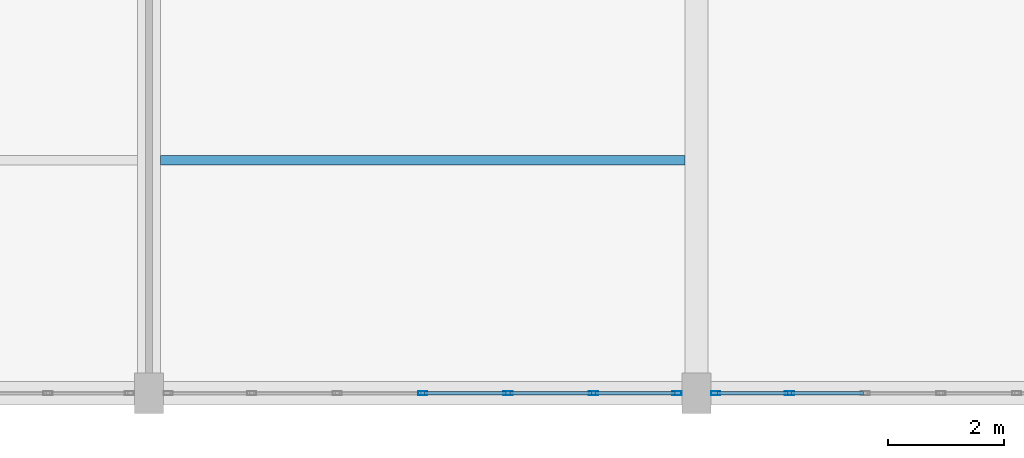
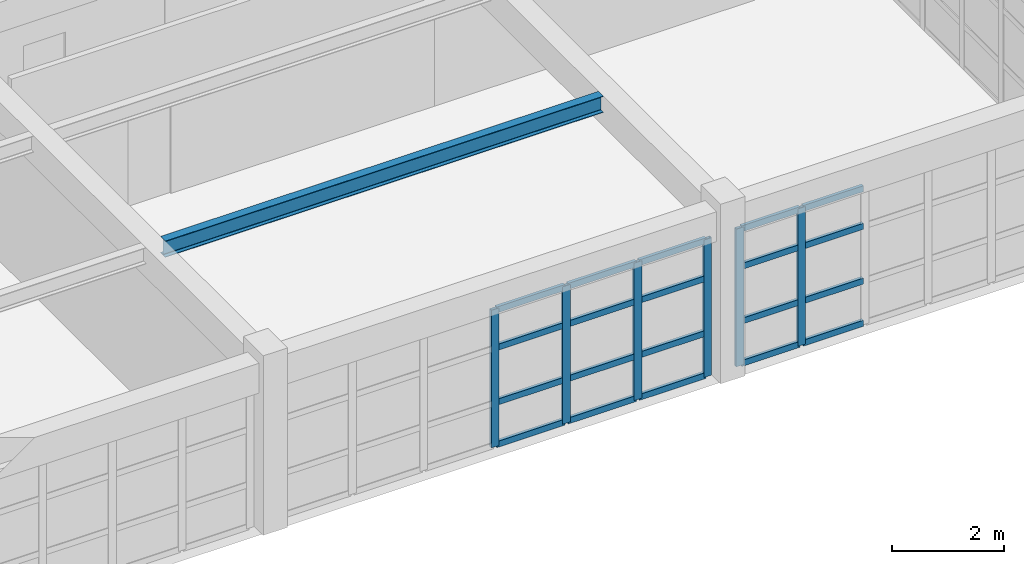
# One storey, part 31 of 150: 26 members, 1 beam, 2 elements without a shape of their own.
"""IFC4 building model written with IfcOpenShell, lengths in metres."""

from ifc_helpers import new_model, si_unit, direction, frame, origin, origin_2d, place, context, subcontext, project, spatial, hollow_rectangle, i_section, extrude, material, material_profile, profile_set, type_object, element, aggregate, save


model = new_model("IFC4")

# Units and contexts
model_context = context("Model", 3, precision=1e-05, world=origin(), true_north=direction((0.0, 1.0)))
body_context = subcontext(model_context, "Body", "Model", "MODEL_VIEW")
ifc_project = project(units=[si_unit("LENGTHUNIT", "METRE"), si_unit("AREAUNIT", "SQUARE_METRE"), si_unit("VOLUMEUNIT", "CUBIC_METRE"), si_unit("PLANEANGLEUNIT", "RADIAN"), si_unit("MASSUNIT", "GRAM", prefix="KILO")], contexts=[model_context])

# Site, building, storey
site_placement = place(None, origin())
site = spatial("IfcSite", under=ifc_project, at=site_placement, CompositionType="ELEMENT")
building_placement = place(site_placement, origin())
building = spatial("IfcBuilding", under=site, at=building_placement, Name="Kestramere Prow Commons", CompositionType="ELEMENT")
storey_placement = place(building_placement, frame((0.0, 0.0, 4.5)))
storey = spatial("IfcBuildingStorey", under=building, at=storey_placement, Name="L01", CompositionType="ELEMENT", Elevation=4.5)

# Curtain wall, members
ifc_material_1 = material(Name="Anodised Aluminium and Low-E Glass", Category="aluminium")
curtain_wall_type_1 = type_object("IfcCurtainWallType", Name="CW-26 Glazed Curtain Wall 8800x2990", PredefinedType="USERDEFINED", material=ifc_material_1)
curtain_wall_1_placement = place(storey_placement, origin())
curtain_wall_1 = element("IfcCurtainWall", 1, at=curtain_wall_1_placement, inside=storey, type_object=curtain_wall_type_1, Name="Market L01 South Shopfront 5", ObjectType="GLAZED CURTAIN WALL", PredefinedType="USERDEFINED")
ifc_material_2 = material(Name="Anodised Aluminium 6063-T6", Category="aluminium")
ifc_material_profile_1 = material_profile(ifc_material_2, hollow_rectangle(XDim=0.06494140625, YDim=0.159912109375, WallThickness=0.00390625, at=origin_2d()), Name="ALU-MUL 65x160")
ifc_profile_set_1 = profile_set([ifc_material_profile_1], Name="Anodised Aluminium 6063-T6")
member_type_1 = type_object("IfcMemberType", Name="CW-MUL-65x160", PredefinedType="MULLION", material=ifc_profile_set_1)
member_1_placement = place(storey_placement, frame((103.267578125, 0.0, 0.0), z_axis=(0.0, 0.0, 1.0), x_axis=(0.0, -1.0, 0.0)))
member_1 = element("IfcMember", 2, at=member_1_placement, type_object=member_type_1, Name="CW-26 mullion 1", PredefinedType="MULLION", context=body_context, shape_type="SweptSolid", body=[
    extrude(hollow_rectangle(XDim=0.06494140625, YDim=0.159912109375, WallThickness=0.00390625, at=origin_2d()), origin(), (0.0, 0.0, 1.0), 2.989990234375),
])
member_2_placement = place(storey_placement, frame((101.833251953125, 0.0, 0.0), z_axis=(0.0, 0.0, 1.0), x_axis=(0.0, -1.0, 0.0)))
member_2 = element("IfcMember", 3, at=member_2_placement, type_object=member_type_1, Name="CW-26 mullion 2", PredefinedType="MULLION", context=body_context, shape_type="SweptSolid", body=[
    extrude(hollow_rectangle(XDim=0.06494140625, YDim=0.159912109375, WallThickness=0.00390625, at=origin_2d()), origin(), (0.0, 0.0, 1.0), 2.989990234375),
])
member_3_placement = place(storey_placement, frame((100.36669921875, 0.0, 0.0), z_axis=(0.0, 0.0, 1.0), x_axis=(0.0, -1.0, 0.0)))
member_3 = element("IfcMember", 4, at=member_3_placement, type_object=member_type_1, Name="CW-26 mullion 3", PredefinedType="MULLION", context=body_context, shape_type="SweptSolid", body=[
    extrude(hollow_rectangle(XDim=0.06494140625, YDim=0.159912109375, WallThickness=0.00390625, at=origin_2d()), origin(), (0.0, 0.0, 1.0), 2.989990234375),
])
member_4_placement = place(storey_placement, frame((98.89990234375, 0.0, 0.0), z_axis=(0.0, 0.0, 1.0), x_axis=(0.0, -1.0, 0.0)))
member_4 = element("IfcMember", 5, at=member_4_placement, type_object=member_type_1, Name="CW-26 mullion 4", PredefinedType="MULLION", context=body_context, shape_type="SweptSolid", body=[
    extrude(hollow_rectangle(XDim=0.06494140625, YDim=0.159912109375, WallThickness=0.00390625, at=origin_2d()), origin(), (0.0, 0.0, 1.0), 2.989990234375),
])

curtain_wall_type_2 = type_object("IfcCurtainWallType", Name="CW-23 Glazed Curtain Wall 7800x2990", PredefinedType="USERDEFINED", material=ifc_material_1)
curtain_wall_2_placement = place(storey_placement, origin())
curtain_wall_2 = element("IfcCurtainWall", 6, at=curtain_wall_2_placement, inside=storey, type_object=curtain_wall_type_2, Name="Market L01 South Shopfront 6", ObjectType="GLAZED CURTAIN WALL", PredefinedType="USERDEFINED")
member_5_placement = place(storey_placement, frame((105.199951171875, 0.0, 0.0), z_axis=(0.0, 0.0, 1.0), x_axis=(0.0, -1.0, 0.0)))
member_5 = element("IfcMember", 7, at=member_5_placement, type_object=member_type_1, Name="CW-23 mullion 6", PredefinedType="MULLION", context=body_context, shape_type="SweptSolid", body=[
    extrude(hollow_rectangle(XDim=0.06494140625, YDim=0.159912109375, WallThickness=0.00390625, at=origin_2d()), origin(), (0.0, 0.0, 1.0), 2.989990234375),
])
member_6_placement = place(storey_placement, frame((103.9326171875, 0.0, 0.0), z_axis=(0.0, 0.0, 1.0), x_axis=(0.0, -1.0, 0.0)))
member_6 = element("IfcMember", 8, at=member_6_placement, type_object=member_type_1, Name="CW-23 mullion 7", PredefinedType="MULLION", context=body_context, shape_type="SweptSolid", body=[
    extrude(hollow_rectangle(XDim=0.06494140625, YDim=0.159912109375, WallThickness=0.00390625, at=origin_2d()), origin(), (0.0, 0.0, 1.0), 2.989990234375),
])

# Member
ifc_material_profile_2 = material_profile(ifc_material_2, hollow_rectangle(XDim=0.06494140625, YDim=0.1298828125, WallThickness=0.00390625, at=origin_2d()), Name="ALU-TRN 65x130")
ifc_profile_set_2 = profile_set([ifc_material_profile_2], Name="Anodised Aluminium 6063-T6")
member_type_2 = type_object("IfcMemberType", Name="CW-TRN-65x130", PredefinedType="USERDEFINED", material=ifc_profile_set_2)
member_7_placement = place(storey_placement, frame((103.235107421875, 0.0, 0.032470703125), z_axis=(-1.0, 0.0, 0.0), x_axis=(0.0, -1.0, 0.0)))
member_7 = element("IfcMember", 9, at=member_7_placement, type_object=member_type_2, Name="CW-26 transom 1.1", ObjectType="TRANSOM", PredefinedType="USERDEFINED", context=body_context, shape_type="SweptSolid", body=[
    extrude(hollow_rectangle(XDim=0.06494140625, YDim=0.1298828125, WallThickness=0.00390625, at=origin_2d()), origin(), (0.0, 0.0, 1.0), 1.369384765625),
])

member_8_placement = place(storey_placement, frame((103.235107421875, 0.0, 0.949951171875), z_axis=(-1.0, 0.0, 0.0), x_axis=(0.0, -1.0, 0.0)))
member_8 = element("IfcMember", 10, at=member_8_placement, type_object=member_type_2, Name="CW-26 transom 1.2", ObjectType="TRANSOM", PredefinedType="USERDEFINED", context=body_context, shape_type="SweptSolid", body=[
    extrude(hollow_rectangle(XDim=0.06494140625, YDim=0.1298828125, WallThickness=0.00390625, at=origin_2d()), origin(), (0.0, 0.0, 1.0), 1.369384765625),
])

member_9_placement = place(storey_placement, frame((103.235107421875, 0.0, 2.139892578125), z_axis=(-1.0, 0.0, 0.0), x_axis=(0.0, -1.0, 0.0)))
member_9 = element("IfcMember", 11, at=member_9_placement, type_object=member_type_2, Name="CW-26 transom 1.3", ObjectType="TRANSOM", PredefinedType="USERDEFINED", context=body_context, shape_type="SweptSolid", body=[
    extrude(hollow_rectangle(XDim=0.06494140625, YDim=0.1298828125, WallThickness=0.00390625, at=origin_2d()), origin(), (0.0, 0.0, 1.0), 1.369384765625),
])

member_10_placement = place(storey_placement, frame((103.235107421875, 0.0, 2.95751953125), z_axis=(-1.0, 0.0, 0.0), x_axis=(0.0, -1.0, 0.0)))
member_10 = element("IfcMember", 12, at=member_10_placement, type_object=member_type_2, Name="CW-26 transom 1.4", ObjectType="TRANSOM", PredefinedType="USERDEFINED", context=body_context, shape_type="SweptSolid", body=[
    extrude(hollow_rectangle(XDim=0.06494140625, YDim=0.1298828125, WallThickness=0.00390625, at=origin_2d()), origin(), (0.0, 0.0, 1.0), 1.369384765625),
])

member_11_placement = place(storey_placement, frame((101.80078125, 0.0, 0.032470703125), z_axis=(-1.0, 0.0, 0.0), x_axis=(0.0, -1.0, 0.0)))
member_11 = element("IfcMember", 13, at=member_11_placement, type_object=member_type_2, Name="CW-26 transom 2.1", ObjectType="TRANSOM", PredefinedType="USERDEFINED", context=body_context, shape_type="SweptSolid", body=[
    extrude(hollow_rectangle(XDim=0.06494140625, YDim=0.1298828125, WallThickness=0.00390625, at=origin_2d()), origin(), (0.0, 0.0, 1.0), 1.401611328125),
])

member_12_placement = place(storey_placement, frame((101.80078125, 0.0, 0.949951171875), z_axis=(-1.0, 0.0, 0.0), x_axis=(0.0, -1.0, 0.0)))
member_12 = element("IfcMember", 14, at=member_12_placement, type_object=member_type_2, Name="CW-26 transom 2.2", ObjectType="TRANSOM", PredefinedType="USERDEFINED", context=body_context, shape_type="SweptSolid", body=[
    extrude(hollow_rectangle(XDim=0.06494140625, YDim=0.1298828125, WallThickness=0.00390625, at=origin_2d()), origin(), (0.0, 0.0, 1.0), 1.401611328125),
])

member_13_placement = place(storey_placement, frame((101.80078125, 0.0, 2.139892578125), z_axis=(-1.0, 0.0, 0.0), x_axis=(0.0, -1.0, 0.0)))
member_13 = element("IfcMember", 15, at=member_13_placement, type_object=member_type_2, Name="CW-26 transom 2.3", ObjectType="TRANSOM", PredefinedType="USERDEFINED", context=body_context, shape_type="SweptSolid", body=[
    extrude(hollow_rectangle(XDim=0.06494140625, YDim=0.1298828125, WallThickness=0.00390625, at=origin_2d()), origin(), (0.0, 0.0, 1.0), 1.401611328125),
])

member_14_placement = place(storey_placement, frame((101.80078125, 0.0, 2.95751953125), z_axis=(-1.0, 0.0, 0.0), x_axis=(0.0, -1.0, 0.0)))
member_14 = element("IfcMember", 16, at=member_14_placement, type_object=member_type_2, Name="CW-26 transom 2.4", ObjectType="TRANSOM", PredefinedType="USERDEFINED", context=body_context, shape_type="SweptSolid", body=[
    extrude(hollow_rectangle(XDim=0.06494140625, YDim=0.1298828125, WallThickness=0.00390625, at=origin_2d()), origin(), (0.0, 0.0, 1.0), 1.401611328125),
])

member_15_placement = place(storey_placement, frame((100.334228515625, 0.0, 0.032470703125), z_axis=(-1.0, 0.0, 0.0), x_axis=(0.0, -1.0, 0.0)))
member_15 = element("IfcMember", 17, at=member_15_placement, type_object=member_type_2, Name="CW-26 transom 3.1", ObjectType="TRANSOM", PredefinedType="USERDEFINED", context=body_context, shape_type="SweptSolid", body=[
    extrude(hollow_rectangle(XDim=0.06494140625, YDim=0.1298828125, WallThickness=0.00390625, at=origin_2d()), origin(), (0.0, 0.0, 1.0), 1.401611328125),
])

member_16_placement = place(storey_placement, frame((100.334228515625, 0.0, 0.949951171875), z_axis=(-1.0, 0.0, 0.0), x_axis=(0.0, -1.0, 0.0)))
member_16 = element("IfcMember", 18, at=member_16_placement, type_object=member_type_2, Name="CW-26 transom 3.2", ObjectType="TRANSOM", PredefinedType="USERDEFINED", context=body_context, shape_type="SweptSolid", body=[
    extrude(hollow_rectangle(XDim=0.06494140625, YDim=0.1298828125, WallThickness=0.00390625, at=origin_2d()), origin(), (0.0, 0.0, 1.0), 1.401611328125),
])

member_17_placement = place(storey_placement, frame((100.334228515625, 0.0, 2.139892578125), z_axis=(-1.0, 0.0, 0.0), x_axis=(0.0, -1.0, 0.0)))
member_17 = element("IfcMember", 19, at=member_17_placement, type_object=member_type_2, Name="CW-26 transom 3.3", ObjectType="TRANSOM", PredefinedType="USERDEFINED", context=body_context, shape_type="SweptSolid", body=[
    extrude(hollow_rectangle(XDim=0.06494140625, YDim=0.1298828125, WallThickness=0.00390625, at=origin_2d()), origin(), (0.0, 0.0, 1.0), 1.401611328125),
])

member_18_placement = place(storey_placement, frame((100.334228515625, 0.0, 2.95751953125), z_axis=(-1.0, 0.0, 0.0), x_axis=(0.0, -1.0, 0.0)))
member_18 = element("IfcMember", 20, at=member_18_placement, type_object=member_type_2, Name="CW-26 transom 3.4", ObjectType="TRANSOM", PredefinedType="USERDEFINED", context=body_context, shape_type="SweptSolid", body=[
    extrude(hollow_rectangle(XDim=0.06494140625, YDim=0.1298828125, WallThickness=0.00390625, at=origin_2d()), origin(), (0.0, 0.0, 1.0), 1.401611328125),
])

aggregate(curtain_wall_1, [member_1, member_2, member_3, member_4, member_7, member_8, member_9, member_10, member_11, member_12, member_13, member_14, member_15, member_16, member_17, member_18])

member_19_placement = place(storey_placement, frame((106.467529296875, 0.0, 0.032470703125), z_axis=(-1.0, 0.0, 0.0), x_axis=(0.0, -1.0, 0.0)))
member_19 = element("IfcMember", 21, at=member_19_placement, type_object=member_type_2, Name="CW-23 transom 5.1", ObjectType="TRANSOM", PredefinedType="USERDEFINED", context=body_context, shape_type="SweptSolid", body=[
    extrude(hollow_rectangle(XDim=0.06494140625, YDim=0.1298828125, WallThickness=0.00390625, at=origin_2d()), origin(), (0.0, 0.0, 1.0), 1.235107421875),
])

member_20_placement = place(storey_placement, frame((106.467529296875, 0.0, 0.949951171875), z_axis=(-1.0, 0.0, 0.0), x_axis=(0.0, -1.0, 0.0)))
member_20 = element("IfcMember", 22, at=member_20_placement, type_object=member_type_2, Name="CW-23 transom 5.2", ObjectType="TRANSOM", PredefinedType="USERDEFINED", context=body_context, shape_type="SweptSolid", body=[
    extrude(hollow_rectangle(XDim=0.06494140625, YDim=0.1298828125, WallThickness=0.00390625, at=origin_2d()), origin(), (0.0, 0.0, 1.0), 1.235107421875),
])

member_21_placement = place(storey_placement, frame((106.467529296875, 0.0, 2.139892578125), z_axis=(-1.0, 0.0, 0.0), x_axis=(0.0, -1.0, 0.0)))
member_21 = element("IfcMember", 23, at=member_21_placement, type_object=member_type_2, Name="CW-23 transom 5.3", ObjectType="TRANSOM", PredefinedType="USERDEFINED", context=body_context, shape_type="SweptSolid", body=[
    extrude(hollow_rectangle(XDim=0.06494140625, YDim=0.1298828125, WallThickness=0.00390625, at=origin_2d()), origin(), (0.0, 0.0, 1.0), 1.235107421875),
])

member_22_placement = place(storey_placement, frame((106.467529296875, 0.0, 2.95751953125), z_axis=(-1.0, 0.0, 0.0), x_axis=(0.0, -1.0, 0.0)))
member_22 = element("IfcMember", 24, at=member_22_placement, type_object=member_type_2, Name="CW-23 transom 5.4", ObjectType="TRANSOM", PredefinedType="USERDEFINED", context=body_context, shape_type="SweptSolid", body=[
    extrude(hollow_rectangle(XDim=0.06494140625, YDim=0.1298828125, WallThickness=0.00390625, at=origin_2d()), origin(), (0.0, 0.0, 1.0), 1.235107421875),
])

member_23_placement = place(storey_placement, frame((105.16748046875, 0.0, 0.032470703125), z_axis=(-1.0, 0.0, 0.0), x_axis=(0.0, -1.0, 0.0)))
member_23 = element("IfcMember", 25, at=member_23_placement, type_object=member_type_2, Name="CW-23 transom 6.1", ObjectType="TRANSOM", PredefinedType="USERDEFINED", context=body_context, shape_type="SweptSolid", body=[
    extrude(hollow_rectangle(XDim=0.06494140625, YDim=0.1298828125, WallThickness=0.00390625, at=origin_2d()), origin(), (0.0, 0.0, 1.0), 1.202392578125),
])

member_24_placement = place(storey_placement, frame((105.16748046875, 0.0, 0.949951171875), z_axis=(-1.0, 0.0, 0.0), x_axis=(0.0, -1.0, 0.0)))
member_24 = element("IfcMember", 26, at=member_24_placement, type_object=member_type_2, Name="CW-23 transom 6.2", ObjectType="TRANSOM", PredefinedType="USERDEFINED", context=body_context, shape_type="SweptSolid", body=[
    extrude(hollow_rectangle(XDim=0.06494140625, YDim=0.1298828125, WallThickness=0.00390625, at=origin_2d()), origin(), (0.0, 0.0, 1.0), 1.202392578125),
])

member_25_placement = place(storey_placement, frame((105.16748046875, 0.0, 2.139892578125), z_axis=(-1.0, 0.0, 0.0), x_axis=(0.0, -1.0, 0.0)))
member_25 = element("IfcMember", 27, at=member_25_placement, type_object=member_type_2, Name="CW-23 transom 6.3", ObjectType="TRANSOM", PredefinedType="USERDEFINED", context=body_context, shape_type="SweptSolid", body=[
    extrude(hollow_rectangle(XDim=0.06494140625, YDim=0.1298828125, WallThickness=0.00390625, at=origin_2d()), origin(), (0.0, 0.0, 1.0), 1.202392578125),
])

member_26_placement = place(storey_placement, frame((105.16748046875, 0.0, 2.95751953125), z_axis=(-1.0, 0.0, 0.0), x_axis=(0.0, -1.0, 0.0)))
member_26 = element("IfcMember", 28, at=member_26_placement, type_object=member_type_2, Name="CW-23 transom 6.4", ObjectType="TRANSOM", PredefinedType="USERDEFINED", context=body_context, shape_type="SweptSolid", body=[
    extrude(hollow_rectangle(XDim=0.06494140625, YDim=0.1298828125, WallThickness=0.00390625, at=origin_2d()), origin(), (0.0, 0.0, 1.0), 1.202392578125),
])

aggregate(curtain_wall_2, [member_5, member_6, member_19, member_20, member_21, member_22, member_23, member_24, member_25, member_26])

# Beam
ifc_material_3 = material(Name="Steel S355JR", Category="steel")
ifc_material_profile_3 = material_profile(ifc_material_3, i_section(OverallWidth=0.17138671875, OverallDepth=0.35498046875, WebThickness=0.00732421875, FlangeThickness=0.011474609375, FilletRadius=0.01025390625, at=origin_2d()), Name="UB 356x171x51")
ifc_profile_set_3 = profile_set([ifc_material_profile_3], Name="Steel S355JR")
beam_type = type_object("IfcBeamType", Name="JST-MK-01 UB 356x171x51", PredefinedType="JOIST", material=ifc_profile_set_3)
beam_placement = place(storey_placement, frame((94.39990234375, 4.0, 3.472412109375), z_axis=(1.0, 0.0, 0.0), x_axis=(0.0, 1.0, 0.0)))
element("IfcBeam", 29, at=beam_placement, inside=storey, type_object=beam_type, Name="Market Spine L01 Secondary Joist 5-4", PredefinedType="JOIST", context=body_context, shape_type="SweptSolid", body=[
    extrude(i_section(OverallWidth=0.17138671875, OverallDepth=0.35498046875, WebThickness=0.00732421875, FlangeThickness=0.011474609375, FilletRadius=0.01025390625, at=origin_2d()), origin(), (0.0, 0.0, 1.0), 9.0),
])

save(model, "model.ifc")
